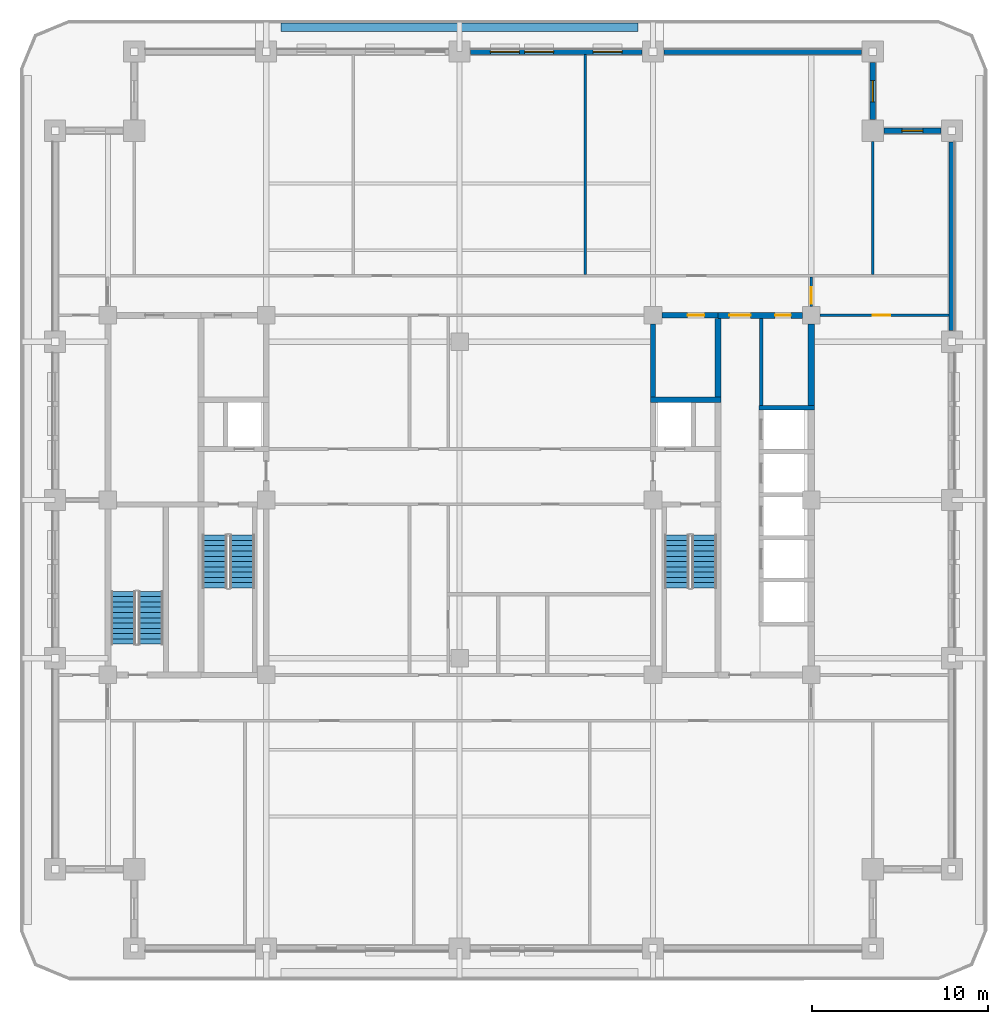
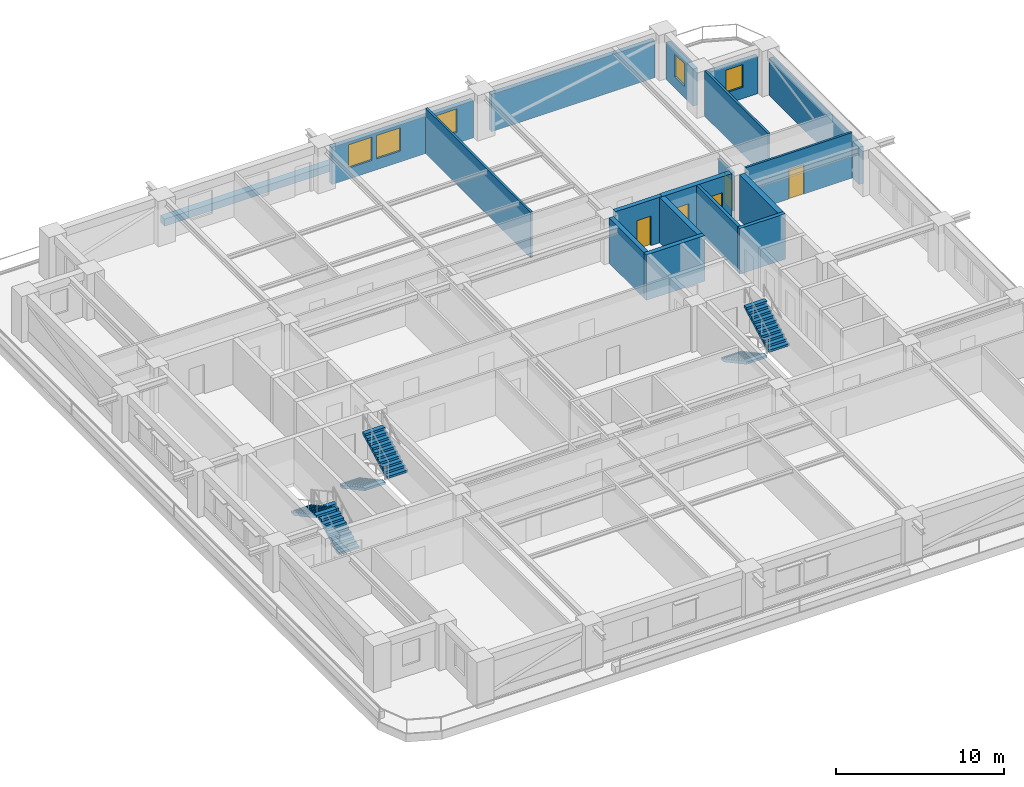
# One storey, part 6 of 13: 18 walls, 6 stair flights, 5 doors, 5 windows, 10 openings, 3 elements without a shape of their own.
"""IFC4 building model written with IfcOpenShell, lengths in metres."""

from ifc_helpers import new_model, si_unit, direction, frame, frame_2d, origin, place, context, subcontext, project, spatial, polyline, rectangle, outline, extrude, material, layer, layer_set, type_object, element, fill, aggregate, save


model = new_model("IFC4")

# Units and contexts
model_context = context("Model", 3, precision=1e-05, world=origin(), true_north=direction((0.0, 1.0)))
body_context = subcontext(model_context, "Body", "Model", "MODEL_VIEW")
ifc_project = project(units=[si_unit("LENGTHUNIT", "METRE"), si_unit("AREAUNIT", "SQUARE_METRE"), si_unit("VOLUMEUNIT", "CUBIC_METRE"), si_unit("PLANEANGLEUNIT", "RADIAN"), si_unit("MASSUNIT", "GRAM", prefix="KILO")], contexts=[model_context])

# Site, building, storey
site_placement = place(None, origin())
site = spatial("IfcSite", under=ifc_project, at=site_placement, CompositionType="ELEMENT")
building_placement = place(site_placement, origin())
building = spatial("IfcBuilding", under=site, at=building_placement, Name="Zulmaris Gate Convention Tower", CompositionType="ELEMENT")
storey_placement = place(building_placement, frame((0.0, 0.0, 91.35986328125)))
storey = spatial("IfcBuildingStorey", under=building, at=storey_placement, Name="L22", CompositionType="ELEMENT", Elevation=91.35986328125)

# Walls
ifc_material_1 = material(Name="Concrete C50/60", Category="concrete")
ifc_layer_1 = layer(ifc_material_1, 0.25, Name="Concrete C50/60")
ifc_layer_set_1 = layer_set([ifc_layer_1], Name="Concrete C50/60")
wall_type_1 = type_object("IfcWallType", Name="CORE-250", PredefinedType="SOLIDWALL", material=ifc_layer_set_1)
wall_1_placement = place(storey_placement, frame((17.02490234375, 5.25, 0.0), z_axis=(0.0, 0.0, 1.0), x_axis=(1.0, 0.0, 0.0)))
element("IfcWall", 1, at=wall_1_placement, inside=storey, type_object=wall_type_1, Name="WL-L22-014", PredefinedType="SOLIDWALL", context=body_context, shape_type="SweptSolid", body=[
    extrude(rectangle(XDim=3.150146484375, YDim=0.25, at=frame_2d((1.5751953125, 0.0))), origin(), (0.0, 0.0, 1.0), 3.320068359375),
])
ifc_layer_2 = layer(ifc_material_1, 0.300048828125, Name="Concrete C50/60")
ifc_layer_set_2 = layer_set([ifc_layer_2], Name="Concrete C50/60")
wall_type_2 = type_object("IfcWallType", Name="CORE-300", PredefinedType="SHEAR", material=ifc_layer_set_2)
wall_2_placement = place(storey_placement, frame((10.85009765625, 5.699951171875, 0.0), z_axis=(0.0, 0.0, 1.0), x_axis=(1.0, 0.0, 0.0)))
element("IfcWall", 2, at=wall_2_placement, inside=storey, type_object=wall_type_2, Name="WL-L22-016", PredefinedType="SHEAR", context=body_context, shape_type="SweptSolid", body=[
    extrude(rectangle(XDim=4.02490234375, YDim=0.300048828125, at=frame_2d((2.012451171875, 0.0))), origin(), (0.0, 0.0, 1.0), 3.320068359375),
])

# Wall, opening, door
wall_3_placement = place(storey_placement, frame((11.50390625, 10.5, 0.0), z_axis=(0.0, 0.0, 1.0), x_axis=(1.0, 0.0, 0.0)))
wall_3 = element("IfcWall", 3, at=wall_3_placement, inside=storey, type_object=wall_type_2, Name="WL-L22-019", PredefinedType="SHEAR", context=body_context, shape_type="SweptSolid", body=[
    extrude(rectangle(XDim=3.196044921875, YDim=0.300048828125, at=frame_2d((1.59814453125, 0.0))), origin(), (0.0, 0.0, 1.0), 3.320068359375),
])
opening_1_placement = place(wall_3_placement, frame((1.470947265625, 0.0, 0.0)))
opening_1 = element("IfcOpeningElement", 4, at=opening_1_placement, cuts=wall_3, Name="Opening D-11", PredefinedType="OPENING", context=body_context, shape_type="SweptSolid", body=[
    extrude(rectangle(XDim=0.949951171875, YDim=2.14990234375, at=frame_2d((0.47509765625, 1.074951171875))), frame((0.0, 0.16015625, 0.0), z_axis=(0.0, -1.0, 0.0), x_axis=(1.0, 0.0, 0.0)), (0.0, 0.0, 1.0), 0.320068359375),
])
ifc_material_2 = material(Name="Fire-Rated Timber", Category="wood")
door_type_1 = type_object("IfcDoorType", Name="DR-950-FD", OperationType="NOTDEFINED", PredefinedType="DOOR", material=ifc_material_2)
door_1_placement = place(opening_1_placement, origin())
door_1 = element("IfcDoor", 5, at=door_1_placement, inside=storey, type_object=door_type_1, Name="L22 Core Cleaners Store Door 08", OperationType="SINGLE_SWING_RIGHT", OverallHeight=2.14990234375, OverallWidth=0.949951171875, PredefinedType="DOOR", context=body_context, shape_type="SweptSolid", body=[
    extrude(rectangle(XDim=0.949951171875, YDim=2.14990234375, at=frame_2d((0.47509765625, 1.074951171875))), frame((0.0, 0.02490234375, 0.0), z_axis=(0.0, -1.0, 0.0), x_axis=(1.0, 0.0, 0.0)), (0.0, 0.0, 1.0), 0.050048828125),
])
fill(opening_1, door_1)

# Wall
wall_4_placement = place(storey_placement, frame((11.0, 5.85205078125, 0.0), z_axis=(0.0, 0.0, 1.0), x_axis=(0.0, 1.0, 0.0)))
element("IfcWall", 6, at=wall_4_placement, inside=storey, type_object=wall_type_2, Name="WL-L22-049", PredefinedType="SHEAR", context=body_context, shape_type="SweptSolid", body=[
    extrude(rectangle(XDim=4.14404296875, YDim=0.300048828125, at=frame_2d((2.072021484375, 0.0))), origin(), (0.0, 0.0, 1.0), 3.320068359375),
])

# Wall, openings, doors
ifc_material_3 = material(Name="Concrete C55/67", Category="concrete")
ifc_layer_3 = layer(ifc_material_3, 0.35009765625, Name="Concrete C55/67")
ifc_layer_set_3 = layer_set([ifc_layer_3], Name="Concrete C55/67")
wall_type_3 = type_object("IfcWallType", Name="CORE-350", PredefinedType="SHEAR", material=ifc_layer_set_3)
wall_5_placement = place(storey_placement, frame((14.699951171875, 10.5, 0.0), z_axis=(0.0, 0.0, 1.0), x_axis=(1.0, 0.0, 0.0)))
wall_5 = element("IfcWall", 7, at=wall_5_placement, inside=storey, type_object=wall_type_3, Name="WL-L22-020", PredefinedType="SHEAR", context=body_context, shape_type="SweptSolid", body=[
    extrude(rectangle(XDim=4.796142578125, YDim=0.35009765625, at=frame_2d((2.39794921875, 0.0))), origin(), (0.0, 0.0, 1.0), 3.320068359375),
])
opening_2_placement = place(wall_5_placement, frame((0.64990234375, 0.0, 0.0)))
opening_2 = element("IfcOpeningElement", 8, at=opening_2_placement, cuts=wall_5, Name="Opening D-13", PredefinedType="OPENING", context=body_context, shape_type="SweptSolid", body=[
    extrude(rectangle(XDim=1.199951171875, YDim=2.14990234375, at=frame_2d((0.60009765625, 1.074951171875))), frame((0.0, 0.18505859375, 0.0), z_axis=(0.0, -1.0, 0.0), x_axis=(1.0, 0.0, 0.0)), (0.0, 0.0, 1.0), 0.3701171875),
])
opening_3_placement = place(wall_5_placement, frame((3.25, 0.0, 0.0)))
opening_3 = element("IfcOpeningElement", 9, at=opening_3_placement, cuts=wall_5, Name="Opening D-12", PredefinedType="OPENING", context=body_context, shape_type="SweptSolid", body=[
    extrude(rectangle(XDim=0.89990234375, YDim=2.14990234375, at=frame_2d((0.449951171875, 1.074951171875))), frame((0.0, 0.18505859375, 0.0), z_axis=(0.0, -1.0, 0.0), x_axis=(1.0, 0.0, 0.0)), (0.0, 0.0, 1.0), 0.3701171875),
])
ifc_material_4 = material(Name="Fire-Rated Steel", Category="steel")
door_type_2 = type_object("IfcDoorType", Name="DR-1200-FD", OperationType="NOTDEFINED", PredefinedType="DOOR", material=ifc_material_4)
door_2_placement = place(opening_2_placement, origin())
door_2 = element("IfcDoor", 10, at=door_2_placement, inside=storey, type_object=door_type_2, Name="L22 East Lift Lobby North Door 16", OperationType="SINGLE_SWING_RIGHT", OverallHeight=2.14990234375, OverallWidth=1.199951171875, PredefinedType="DOOR", context=body_context, shape_type="SweptSolid", body=[
    extrude(rectangle(XDim=1.199951171875, YDim=2.14990234375, at=frame_2d((0.60009765625, 1.074951171875))), frame((0.0, 0.02490234375, 0.0), z_axis=(0.0, -1.0, 0.0), x_axis=(1.0, 0.0, 0.0)), (0.0, 0.0, 1.0), 0.050048828125),
])
fill(opening_2, door_2)
door_type_3 = type_object("IfcDoorType", Name="DR-900-FD", OperationType="NOTDEFINED", PredefinedType="DOOR", material=ifc_material_2)
door_3_placement = place(opening_3_placement, origin())
door_3 = element("IfcDoor", 11, at=door_3_placement, inside=storey, type_object=door_type_3, Name="L22 Mid-Rise Archive Door 17", OperationType="SINGLE_SWING_LEFT", OverallHeight=2.14990234375, OverallWidth=0.89990234375, PredefinedType="DOOR", context=body_context, shape_type="SweptSolid", body=[
    extrude(rectangle(XDim=0.89990234375, YDim=2.14990234375, at=frame_2d((0.449951171875, 1.074951171875))), frame((0.0, 0.02490234375, 0.0), z_axis=(0.0, -1.0, 0.0), x_axis=(1.0, 0.0, 0.0)), (0.0, 0.0, 1.0), 0.050048828125),
])
fill(opening_3, door_3)

# Walls
wall_6_placement = place(storey_placement, frame((14.699951171875, 5.85205078125, 0.0), z_axis=(0.0, 0.0, 1.0), x_axis=(0.0, 1.0, 0.0)))
element("IfcWall", 12, at=wall_6_placement, inside=storey, type_object=wall_type_3, Name="WL-L22-055", PredefinedType="SHEAR", context=body_context, shape_type="SweptSolid", body=[
    extrude(rectangle(XDim=4.470947265625, YDim=0.35009765625, at=frame_2d((2.2353515625, 0.0))), origin(), (0.0, 0.0, 1.0), 3.320068359375),
])
wall_7_placement = place(storey_placement, frame((20.0, 5.376953125, 0.0), z_axis=(0.0, 0.0, 1.0), x_axis=(0.0, 1.0, 0.0)))
element("IfcWall", 13, at=wall_7_placement, inside=storey, type_object=wall_type_3, Name="WL-L22-067", PredefinedType="SHEAR", context=body_context, shape_type="SweptSolid", body=[
    extrude(rectangle(XDim=4.619140625, YDim=0.35009765625, at=frame_2d((2.3095703125, 0.0))), origin(), (0.0, 0.0, 1.0), 3.320068359375),
])

# Wall, opening, door
ifc_material_5 = material(Name="Gypsum Metal Stud Partition")
ifc_layer_4 = layer(ifc_material_5, 0.14990234375, Name="Gypsum Metal Stud Partition")
ifc_layer_set_4 = layer_set([ifc_layer_4], Name="Gypsum Metal Stud Partition")
wall_type_4 = type_object("IfcWallType", Name="PART-150", PredefinedType="PARTITIONING", material=ifc_layer_set_4)
wall_8_placement = place(storey_placement, frame((20.506103515625, 10.5, 0.0), z_axis=(0.0, 0.0, 1.0), x_axis=(1.0, 0.0, 0.0)))
wall_8 = element("IfcWall", 14, at=wall_8_placement, inside=storey, type_object=wall_type_4, Name="WL-L22-031", PredefinedType="PARTITIONING", context=body_context, shape_type="SweptSolid", body=[
    extrude(rectangle(XDim=7.328857421875, YDim=0.14990234375, at=frame_2d((3.66455078125, 0.0))), origin(), (0.0, 0.0, 1.0), 3.320068359375),
])
opening_4_placement = place(wall_8_placement, frame((2.993896484375, 0.0, 0.0)))
opening_4 = element("IfcOpeningElement", 15, at=opening_4_placement, cuts=wall_8, Name="Opening D-10", PredefinedType="OPENING", context=body_context, shape_type="SweptSolid", body=[
    extrude(rectangle(XDim=1.0, YDim=2.14990234375, at=frame_2d((0.5, 1.074951171875))), frame((0.0, 0.0849609375, 0.0), z_axis=(0.0, -1.0, 0.0), x_axis=(1.0, 0.0, 0.0)), (0.0, 0.0, 1.0), 0.169921875),
])
door_type_4 = type_object("IfcDoorType", Name="DR-1000-FD", OperationType="NOTDEFINED", PredefinedType="DOOR", material=ifc_material_2)
door_4_placement = place(opening_4_placement, origin())
door_4 = element("IfcDoor", 16, at=door_4_placement, inside=storey, type_object=door_type_4, Name="L22 East Workplace North Door 42", OperationType="SINGLE_SWING_RIGHT", OverallHeight=2.14990234375, OverallWidth=1.0, PredefinedType="DOOR", context=body_context, shape_type="SweptSolid", body=[
    extrude(rectangle(XDim=1.0, YDim=2.14990234375, at=frame_2d((0.5, 1.074951171875))), frame((0.0, 0.02490234375, 0.0), z_axis=(0.0, -1.0, 0.0), x_axis=(1.0, 0.0, 0.0)), (0.0, 0.0, 1.0), 0.050048828125),
])
fill(opening_4, door_4)

# Wall
wall_9_placement = place(storey_placement, frame((7.14990234375, 12.827880859375, 0.0), z_axis=(0.0, 0.0, 1.0), x_axis=(0.0, 1.0, 0.0)))
element("IfcWall", 17, at=wall_9_placement, inside=storey, type_object=wall_type_4, Name="WL-L22-082", PredefinedType="PARTITIONING", context=body_context, shape_type="SweptSolid", body=[
    extrude(rectangle(XDim=12.507080078125, YDim=0.14990234375, at=frame_2d((6.25341796875, 0.0))), origin(), (0.0, 0.0, 1.0), 3.320068359375),
])

# Wall, opening, door
wall_10_placement = place(storey_placement, frame((20.0, 11.006103515625, 0.0), z_axis=(0.0, 0.0, 1.0), x_axis=(0.0, 1.0, 0.0)))
wall_10 = element("IfcWall", 18, at=wall_10_placement, inside=storey, type_object=wall_type_4, Name="WL-L22-086", PredefinedType="PARTITIONING", context=body_context, shape_type="SweptSolid", body=[
    extrude(rectangle(XDim=1.666015625, YDim=0.14990234375, at=frame_2d((0.8330078125, 0.0))), origin(), (0.0, 0.0, 1.0), 2.81005859375),
])
opening_5_placement = place(wall_10_placement, frame((0.14990234375, 0.0, 0.0)))
opening_5 = element("IfcOpeningElement", 19, at=opening_5_placement, cuts=wall_10, Name="Opening D-11", PredefinedType="OPENING", context=body_context, shape_type="SweptSolid", body=[
    extrude(rectangle(XDim=0.949951171875, YDim=2.14990234375, at=frame_2d((0.47509765625, 1.074951171875))), frame((0.0, 0.0849609375, 0.0), z_axis=(0.0, -1.0, 0.0), x_axis=(1.0, 0.0, 0.0)), (0.0, 0.0, 1.0), 0.169921875),
])
door_5_placement = place(opening_5_placement, origin())
door_5 = element("IfcDoor", 20, at=door_5_placement, inside=storey, type_object=door_type_1, Name="L22 NE Spur Door 40", OperationType="SINGLE_SWING_RIGHT", OverallHeight=2.14990234375, OverallWidth=0.949951171875, PredefinedType="DOOR", context=body_context, shape_type="SweptSolid", body=[
    extrude(rectangle(XDim=0.949951171875, YDim=2.14990234375, at=frame_2d((0.47509765625, 1.074951171875))), frame((0.0, 0.02490234375, 0.0), z_axis=(0.0, -1.0, 0.0), x_axis=(1.0, 0.0, 0.0)), (0.0, 0.0, 1.0), 0.050048828125),
])
fill(opening_5, door_5)

# Walls
wall_11_placement = place(storey_placement, frame((23.5, 12.827880859375, 0.0), z_axis=(0.0, 0.0, 1.0), x_axis=(0.0, 1.0, 0.0)))
element("IfcWall", 21, at=wall_11_placement, inside=storey, type_object=wall_type_4, Name="WL-L22-088", PredefinedType="PARTITIONING", context=body_context, shape_type="SweptSolid", body=[
    extrude(rectangle(XDim=7.566162109375, YDim=0.14990234375, at=frame_2d((3.783203125, 0.0))), origin(), (0.0, 0.0, 1.0), 3.320068359375),
])
ifc_material_6 = material(Name="Autoclaved Aerated Concrete Block and Plasterboard", Category="concrete")
ifc_layer_5 = layer(ifc_material_6, 0.199951171875, Name="Autoclaved Aerated Concrete Block and Plasterboard")
ifc_layer_set_5 = layer_set([ifc_layer_5], Name="Autoclaved Aerated Concrete Block and Plasterboard")
wall_type_5 = type_object("IfcWallType", Name="PART-200", PredefinedType="PARTITIONING", material=ifc_layer_set_5)
wall_12_placement = place(storey_placement, frame((17.14990234375, 5.3779296875, 0.0), z_axis=(0.0, 0.0, 1.0), x_axis=(0.0, 1.0, 0.0)))
element("IfcWall", 22, at=wall_12_placement, inside=storey, type_object=wall_type_5, Name="WL-L22-084", PredefinedType="PARTITIONING", context=body_context, shape_type="SweptSolid", body=[
    extrude(rectangle(XDim=4.944091796875, YDim=0.199951171875, at=frame_2d((2.47216796875, 0.0))), origin(), (0.0, 0.0, 1.0), 3.320068359375),
])
ifc_material_7 = material(Name="Botanical Green Glazed Precast Concrete C40/50", Category="concrete")
ifc_layer_6 = layer(ifc_material_7, 0.419921875, Name="Botanical Green Glazed Precast Concrete C40/50")
ifc_layer_set_6 = layer_set([ifc_layer_6], Name="Botanical Green Glazed Precast Concrete C40/50")
wall_type_6 = type_object("IfcWallType", Name="PLANTER-CURB-200", PredefinedType="PARAPET", material=ifc_layer_set_6)
wall_13_placement = place(storey_placement, frame((-10.14990234375, 26.8798828125, -0.0400390625), z_axis=(0.0, 0.0, 1.0), x_axis=(1.0, 0.0, 0.0)))
element("IfcWall", 23, at=wall_13_placement, inside=storey, type_object=wall_type_6, Name="L22 Full-Length Balcony Tree Planter Trough", PredefinedType="PARAPET", context=body_context, shape_type="SweptSolid", body=[
    extrude(rectangle(XDim=20.2998046875, YDim=0.47998046875, at=frame_2d((10.14990234375, 0.0))), origin(), (0.0, 0.0, 1.0), 0.52001953125),
])

# Wall, opening, window
ifc_material_8 = material(Name="Precast concrete C40/50", Category="concrete")
ifc_layer_7 = layer(ifc_material_8, 0.300048828125, Name="Precast concrete C40/50")
ifc_layer_set_7 = layer_set([ifc_layer_7], Name="Precast concrete C40/50")
wall_type_7 = type_object("IfcWallType", Name="PRECAST-PIER-300", PredefinedType="STANDARD", material=ifc_layer_set_7)
wall_14_placement = place(storey_placement, frame((27.3701171875, 21.0, 0.0), z_axis=(0.0, 0.0, 1.0), x_axis=(-1.0, 0.0, 0.0)))
wall_14 = element("IfcWall", 24, at=wall_14_placement, inside=storey, type_object=wall_type_7, Name="EW-L22-NOTCH-NE1_0", PredefinedType="STANDARD", context=body_context, shape_type="SweptSolid", body=[
    extrude(rectangle(XDim=3.240234375, YDim=0.300048828125, at=frame_2d((1.6201171875, 0.0))), origin(), (0.0, 0.0, 1.0), 2.712158203125),
])
opening_6_placement = place(wall_14_placement, frame((1.02001953125, 0.0, 0.820068359375)))
opening_6 = element("IfcOpeningElement", 25, at=opening_6_placement, cuts=wall_14, Name="Opening W-04", PredefinedType="OPENING", context=body_context, shape_type="SweptSolid", body=[
    extrude(rectangle(XDim=1.199951171875, YDim=1.64990234375, at=frame_2d((0.60009765625, 0.824951171875))), frame((0.0, 0.16015625, 0.0), z_axis=(0.0, -1.0, 0.0), x_axis=(1.0, 0.0, 0.0)), (0.0, 0.0, 1.0), 0.320068359375),
])
ifc_material_9 = material(Name="Low-E Laminated Double Glazing in Aluminium Frame", Category="aluminium")
window_type_1 = type_object("IfcWindowType", Name="WIN-1200x2100", PartitioningType="SINGLE_PANEL", PredefinedType="WINDOW", material=ifc_material_9)
window_1_placement = place(opening_6_placement, origin())
window_1 = element("IfcWindow", 26, at=window_1_placement, inside=storey, type_object=window_type_1, Name="WN-EW-L22-NOTCH-NE1_0", OverallHeight=1.64990234375, OverallWidth=1.199951171875, PartitioningType="SINGLE_PANEL", PredefinedType="WINDOW", context=body_context, shape_type="SweptSolid", body=[
    extrude(rectangle(XDim=1.199951171875, YDim=1.64990234375, at=frame_2d((0.60009765625, 0.824951171875))), frame((0.0, 0.030029296875, 0.0), z_axis=(0.0, -1.0, 0.0), x_axis=(1.0, 0.0, 0.0)), (0.0, 0.0, 1.0), 0.06005859375),
])
fill(opening_6, window_1)

wall_15_placement = place(storey_placement, frame((23.5, 21.6298828125, 0.0), z_axis=(0.0, 0.0, 1.0), x_axis=(0.0, 1.0, 0.0)))
wall_15 = element("IfcWall", 27, at=wall_15_placement, inside=storey, type_object=wall_type_7, Name="EW-L22-NOTCH-NE2_0", PredefinedType="STANDARD", context=body_context, shape_type="SweptSolid", body=[
    extrude(rectangle(XDim=3.240234375, YDim=0.300048828125, at=frame_2d((1.6201171875, 0.0))), origin(), (0.0, 0.0, 1.0), 2.712158203125),
])
opening_7_placement = place(wall_15_placement, frame((1.02001953125, 0.0, 0.820068359375)))
opening_7 = element("IfcOpeningElement", 28, at=opening_7_placement, cuts=wall_15, Name="Opening W-04", PredefinedType="OPENING", context=body_context, shape_type="SweptSolid", body=[
    extrude(rectangle(XDim=1.199951171875, YDim=1.64990234375, at=frame_2d((0.60009765625, 0.824951171875))), frame((0.0, 0.16015625, 0.0), z_axis=(0.0, -1.0, 0.0), x_axis=(1.0, 0.0, 0.0)), (0.0, 0.0, 1.0), 0.320068359375),
])
window_2_placement = place(opening_7_placement, origin())
window_2 = element("IfcWindow", 29, at=window_2_placement, inside=storey, type_object=window_type_1, Name="WN-EW-L22-NOTCH-NE2_0", OverallHeight=1.64990234375, OverallWidth=1.199951171875, PartitioningType="SINGLE_PANEL", PredefinedType="WINDOW", context=body_context, shape_type="SweptSolid", body=[
    extrude(rectangle(XDim=1.199951171875, YDim=1.64990234375, at=frame_2d((0.60009765625, 0.824951171875))), frame((0.0, 0.030029296875, 0.0), z_axis=(0.0, -1.0, 0.0), x_axis=(1.0, 0.0, 0.0)), (0.0, 0.0, 1.0), 0.06005859375),
])
fill(opening_7, window_2)

# Wall, openings, windows
wall_16_placement = place(storey_placement, frame((10.3701171875, 25.5, 0.0), z_axis=(0.0, 0.0, 1.0), x_axis=(-1.0, 0.0, 0.0)))
wall_16 = element("IfcWall", 30, at=wall_16_placement, inside=storey, type_object=wall_type_7, Name="EW-L22-N-2_0", PredefinedType="STANDARD", context=body_context, shape_type="SweptSolid", body=[
    extrude(rectangle(XDim=9.740234375, YDim=0.300048828125, at=frame_2d((4.8701171875, 0.0))), origin(), (0.0, 0.0, 1.0), 2.712158203125),
])
opening_8_placement = place(wall_16_placement, frame((1.123046875, 0.0, 0.800048828125)))
opening_8 = element("IfcOpeningElement", 31, at=opening_8_placement, cuts=wall_16, Name="Opening W-08", PredefinedType="OPENING", context=body_context, shape_type="SweptSolid", body=[
    extrude(rectangle(XDim=1.64990234375, YDim=1.699951171875, at=frame_2d((0.824951171875, 0.85009765625))), frame((0.0, 0.16015625, 0.0), z_axis=(0.0, -1.0, 0.0), x_axis=(1.0, 0.0, 0.0)), (0.0, 0.0, 1.0), 0.320068359375),
])
opening_9_placement = place(wall_16_placement, frame((5.01904296875, 0.0, 0.800048828125)))
opening_9 = element("IfcOpeningElement", 32, at=opening_9_placement, cuts=wall_16, Name="Opening W-08", PredefinedType="OPENING", context=body_context, shape_type="SweptSolid", body=[
    extrude(rectangle(XDim=1.64990234375, YDim=1.699951171875, at=frame_2d((0.824951171875, 0.85009765625))), frame((0.0, 0.16015625, 0.0), z_axis=(0.0, -1.0, 0.0), x_axis=(1.0, 0.0, 0.0)), (0.0, 0.0, 1.0), 0.320068359375),
])
opening_10_placement = place(wall_16_placement, frame((6.967041015625, 0.0, 0.800048828125)))
opening_10 = element("IfcOpeningElement", 33, at=opening_10_placement, cuts=wall_16, Name="Opening W-08", PredefinedType="OPENING", context=body_context, shape_type="SweptSolid", body=[
    extrude(rectangle(XDim=1.64990234375, YDim=1.699951171875, at=frame_2d((0.824951171875, 0.85009765625))), frame((0.0, 0.16015625, 0.0), z_axis=(0.0, -1.0, 0.0), x_axis=(1.0, 0.0, 0.0)), (0.0, 0.0, 1.0), 0.320068359375),
])
window_type_2 = type_object("IfcWindowType", Name="WIN-1650x2150", PartitioningType="SINGLE_PANEL", PredefinedType="WINDOW", material=ifc_material_9)
window_3_placement = place(opening_8_placement, origin())
window_3 = element("IfcWindow", 34, at=window_3_placement, inside=storey, type_object=window_type_2, Name="WN-EW-L22-N-2_0-1", OverallHeight=1.699951171875, OverallWidth=1.64990234375, PartitioningType="SINGLE_PANEL", PredefinedType="WINDOW", context=body_context, shape_type="SweptSolid", body=[
    extrude(rectangle(XDim=1.64990234375, YDim=1.699951171875, at=frame_2d((0.824951171875, 0.85009765625))), frame((0.0, 0.030029296875, 0.0), z_axis=(0.0, -1.0, 0.0), x_axis=(1.0, 0.0, 0.0)), (0.0, 0.0, 1.0), 0.06005859375),
])
fill(opening_8, window_3)
window_4_placement = place(opening_9_placement, origin())
window_4 = element("IfcWindow", 35, at=window_4_placement, inside=storey, type_object=window_type_2, Name="WN-EW-L22-N-2_0-3", OverallHeight=1.699951171875, OverallWidth=1.64990234375, PartitioningType="SINGLE_PANEL", PredefinedType="WINDOW", context=body_context, shape_type="SweptSolid", body=[
    extrude(rectangle(XDim=1.64990234375, YDim=1.699951171875, at=frame_2d((0.824951171875, 0.85009765625))), frame((0.0, 0.030029296875, 0.0), z_axis=(0.0, -1.0, 0.0), x_axis=(1.0, 0.0, 0.0)), (0.0, 0.0, 1.0), 0.06005859375),
])
fill(opening_9, window_4)
window_5_placement = place(opening_10_placement, origin())
window_5 = element("IfcWindow", 36, at=window_5_placement, inside=storey, type_object=window_type_2, Name="WN-EW-L22-N-2_0-4", OverallHeight=1.699951171875, OverallWidth=1.64990234375, PartitioningType="SINGLE_PANEL", PredefinedType="WINDOW", context=body_context, shape_type="SweptSolid", body=[
    extrude(rectangle(XDim=1.64990234375, YDim=1.699951171875, at=frame_2d((0.824951171875, 0.85009765625))), frame((0.0, 0.030029296875, 0.0), z_axis=(0.0, -1.0, 0.0), x_axis=(1.0, 0.0, 0.0)), (0.0, 0.0, 1.0), 0.06005859375),
])
fill(opening_10, window_5)

# Walls
wall_17_placement = place(storey_placement, frame((22.8701171875, 25.5, 0.0), z_axis=(0.0, 0.0, 1.0), x_axis=(-1.0, 0.0, 0.0)))
element("IfcWall", 37, at=wall_17_placement, inside=storey, type_object=wall_type_7, Name="EW-L22-N-3_0", PredefinedType="STANDARD", context=body_context, shape_type="SweptSolid", body=[
    extrude(rectangle(XDim=11.240234375, YDim=0.300048828125, at=frame_2d((5.6201171875, 0.0))), origin(), (0.0, 0.0, 1.0), 2.712158203125),
])
wall_18_placement = place(storey_placement, frame((28.0, 9.6298828125, 0.0), z_axis=(0.0, 0.0, 1.0), x_axis=(0.0, 1.0, 0.0)))
element("IfcWall", 38, at=wall_18_placement, inside=storey, type_object=wall_type_7, Name="EW-L22-E-3_0", PredefinedType="STANDARD", context=body_context, shape_type="SweptSolid", body=[
    extrude(rectangle(XDim=10.740234375, YDim=0.300048828125, at=frame_2d((5.3701171875, 0.0))), origin(), (0.0, 0.0, 1.0), 2.712158203125),
])

# Stair, stair flights
ifc_material_10 = material(Name="Concrete C45/55", Category="concrete")
stair_type = type_object("IfcStairType", Name="ST-CORE-DOGLEG", PredefinedType="HALF_TURN_STAIR", material=ifc_material_10)
stair_1_placement = place(storey_placement, origin())
stair_1 = element("IfcStair", 39, at=stair_1_placement, inside=storey, type_object=stair_type, Name="L22 Core Exit Stair ST-1", PredefinedType="HALF_TURN_STAIR")
ifc_layer_8 = layer(ifc_material_10, 0.14990234375, Name="Concrete C45/55")
ifc_layer_set_8 = layer_set([ifc_layer_8], Name="Concrete C45/55")
stair_flight_type = type_object("IfcStairFlightType", Name="STF-RC150", PredefinedType="STRAIGHT", material=ifc_layer_set_8)
stair_flight_1_placement = place(storey_placement, frame((-13.919921875, -2.0, 0.0), z_axis=(0.0, 0.0, 1.0), x_axis=(0.0, -1.0, 0.0)))
stair_flight_1 = element("IfcStairFlight", 40, at=stair_flight_1_placement, type_object=stair_flight_type, Name="ST-1 flight 1", NumberOfRisers=11, NumberOfTreads=10, PredefinedType="STRAIGHT", RiserHeight=0.162272727, TreadLength=0.3, context=body_context, shape_type="SweptSolid", body=[
    extrude(outline(polyline([(0.0, 0.0), (0.0, 0.162353515625), (0.300048828125, 0.162353515625), (0.300048828125, 0.324462890625), (0.60009765625, 0.324462890625), (0.60009765625, 0.48681640625), (0.89990234375, 0.48681640625), (0.89990234375, 0.649169921875), (1.199951171875, 0.649169921875), (1.199951171875, 0.811279296875), (1.5, 0.811279296875), (1.5, 0.9736328125), (1.800048828125, 0.9736328125), (1.800048828125, 1.135986328125), (2.10009765625, 1.135986328125), (2.10009765625, 1.298095703125), (2.39990234375, 1.298095703125), (2.39990234375, 1.46044921875), (2.699951171875, 1.46044921875), (2.699951171875, 1.622802734375), (3.0, 1.622802734375), (3.0, 1.784912109375), (3.0, 1.452392578125), (0.315185546875, 0.0), (0.0, 0.0)])), frame((0.0, 0.699951171875, 0.0), z_axis=(0.0, -1.0, 0.0), x_axis=(1.0, 0.0, 0.0)), (0.0, 0.0, 1.0), 1.39990234375),
])
stair_flight_2_placement = place(storey_placement, frame((-12.360107421875, -5.0, 1.78515625), z_axis=(0.0, 0.0, 1.0), x_axis=(0.0, 1.0, 0.0)))
stair_flight_2 = element("IfcStairFlight", 41, at=stair_flight_2_placement, type_object=stair_flight_type, Name="ST-1 flight 2", NumberOfRisers=11, NumberOfTreads=10, PredefinedType="STRAIGHT", RiserHeight=0.162272727, TreadLength=0.3, context=body_context, shape_type="SweptSolid", body=[
    extrude(outline(polyline([(0.0, 0.0), (0.0, 0.162353515625), (0.300048828125, 0.162353515625), (0.300048828125, 0.324462890625), (0.60009765625, 0.324462890625), (0.60009765625, 0.48681640625), (0.89990234375, 0.48681640625), (0.89990234375, 0.649169921875), (1.199951171875, 0.649169921875), (1.199951171875, 0.811279296875), (1.5, 0.811279296875), (1.5, 0.9736328125), (1.800048828125, 0.9736328125), (1.800048828125, 1.135986328125), (2.10009765625, 1.135986328125), (2.10009765625, 1.298095703125), (2.39990234375, 1.298095703125), (2.39990234375, 1.46044921875), (2.699951171875, 1.46044921875), (2.699951171875, 1.622802734375), (3.0, 1.622802734375), (3.0, 1.784912109375), (3.0, 1.452392578125), (0.315185546875, 0.0), (0.0, 0.0)])), frame((0.0, 0.699951171875, 0.0), z_axis=(0.0, -1.0, 0.0), x_axis=(1.0, 0.0, 0.0)), (0.0, 0.0, 1.0), 1.39990234375),
])
aggregate(stair_1, [stair_flight_1, stair_flight_2])

stair_2_placement = place(storey_placement, origin())
stair_2 = element("IfcStair", 42, at=stair_2_placement, inside=storey, type_object=stair_type, Name="L22 Core Exit Stair ST-2", PredefinedType="HALF_TURN_STAIR")
stair_flight_3_placement = place(storey_placement, frame((12.360107421875, -2.0, 0.0), z_axis=(0.0, 0.0, 1.0), x_axis=(0.0, -1.0, 0.0)))
stair_flight_3 = element("IfcStairFlight", 43, at=stair_flight_3_placement, type_object=stair_flight_type, Name="ST-2 flight 1", NumberOfRisers=11, NumberOfTreads=10, PredefinedType="STRAIGHT", RiserHeight=0.162272727, TreadLength=0.3, context=body_context, shape_type="SweptSolid", body=[
    extrude(outline(polyline([(0.0, 0.0), (0.0, 0.162353515625), (0.300048828125, 0.162353515625), (0.300048828125, 0.324462890625), (0.60009765625, 0.324462890625), (0.60009765625, 0.48681640625), (0.89990234375, 0.48681640625), (0.89990234375, 0.649169921875), (1.199951171875, 0.649169921875), (1.199951171875, 0.811279296875), (1.5, 0.811279296875), (1.5, 0.9736328125), (1.800048828125, 0.9736328125), (1.800048828125, 1.135986328125), (2.10009765625, 1.135986328125), (2.10009765625, 1.298095703125), (2.39990234375, 1.298095703125), (2.39990234375, 1.46044921875), (2.699951171875, 1.46044921875), (2.699951171875, 1.622802734375), (3.0, 1.622802734375), (3.0, 1.784912109375), (3.0, 1.452392578125), (0.315185546875, 0.0), (0.0, 0.0)])), frame((0.0, 0.699951171875, 0.0), z_axis=(0.0, -1.0, 0.0), x_axis=(1.0, 0.0, 0.0)), (0.0, 0.0, 1.0), 1.39990234375),
])
stair_flight_4_placement = place(storey_placement, frame((13.919921875, -5.0, 1.78515625), z_axis=(0.0, 0.0, 1.0), x_axis=(0.0, 1.0, 0.0)))
stair_flight_4 = element("IfcStairFlight", 44, at=stair_flight_4_placement, type_object=stair_flight_type, Name="ST-2 flight 2", NumberOfRisers=11, NumberOfTreads=10, PredefinedType="STRAIGHT", RiserHeight=0.162272727, TreadLength=0.3, context=body_context, shape_type="SweptSolid", body=[
    extrude(outline(polyline([(0.0, 0.0), (0.0, 0.162353515625), (0.300048828125, 0.162353515625), (0.300048828125, 0.324462890625), (0.60009765625, 0.324462890625), (0.60009765625, 0.48681640625), (0.89990234375, 0.48681640625), (0.89990234375, 0.649169921875), (1.199951171875, 0.649169921875), (1.199951171875, 0.811279296875), (1.5, 0.811279296875), (1.5, 0.9736328125), (1.800048828125, 0.9736328125), (1.800048828125, 1.135986328125), (2.10009765625, 1.135986328125), (2.10009765625, 1.298095703125), (2.39990234375, 1.298095703125), (2.39990234375, 1.46044921875), (2.699951171875, 1.46044921875), (2.699951171875, 1.622802734375), (3.0, 1.622802734375), (3.0, 1.784912109375), (3.0, 1.452392578125), (0.315185546875, 0.0), (0.0, 0.0)])), frame((0.0, 0.699951171875, 0.0), z_axis=(0.0, -1.0, 0.0), x_axis=(1.0, 0.0, 0.0)), (0.0, 0.0, 1.0), 1.39990234375),
])
aggregate(stair_2, [stair_flight_3, stair_flight_4])

stair_3_placement = place(storey_placement, origin())
stair_3 = element("IfcStair", 45, at=stair_3_placement, inside=storey, type_object=stair_type, Name="L22 Core Exit Stair ST-3", PredefinedType="HALF_TURN_STAIR")
stair_flight_5_placement = place(storey_placement, frame((-17.56005859375, -8.199951171875, 0.0), z_axis=(0.0, 0.0, 1.0), x_axis=(0.0, 1.0, 0.0)))
stair_flight_5 = element("IfcStairFlight", 46, at=stair_flight_5_placement, type_object=stair_flight_type, Name="ST-3 flight 1", NumberOfRisers=11, NumberOfTreads=10, PredefinedType="STRAIGHT", RiserHeight=0.162272727, TreadLength=0.3, context=body_context, shape_type="SweptSolid", body=[
    extrude(outline(polyline([(0.0, 0.0), (0.0, 0.162353515625), (0.300048828125, 0.162353515625), (0.300048828125, 0.324462890625), (0.60009765625, 0.324462890625), (0.60009765625, 0.48681640625), (0.89990234375, 0.48681640625), (0.89990234375, 0.649169921875), (1.199951171875, 0.649169921875), (1.199951171875, 0.811279296875), (1.5, 0.811279296875), (1.5, 0.9736328125), (1.800048828125, 0.9736328125), (1.800048828125, 1.135986328125), (2.10009765625, 1.135986328125), (2.10009765625, 1.298095703125), (2.39990234375, 1.298095703125), (2.39990234375, 1.46044921875), (2.699951171875, 1.46044921875), (2.699951171875, 1.622802734375), (3.0, 1.622802734375), (3.0, 1.784912109375), (3.0, 1.452392578125), (0.315185546875, 0.0), (0.0, 0.0)])), frame((0.0, 0.699951171875, 0.0), z_axis=(0.0, -1.0, 0.0), x_axis=(1.0, 0.0, 0.0)), (0.0, 0.0, 1.0), 1.39990234375),
])
stair_flight_6_placement = place(storey_placement, frame((-19.1201171875, -5.199951171875, 1.78515625), z_axis=(0.0, 0.0, 1.0), x_axis=(0.0, -1.0, 0.0)))
stair_flight_6 = element("IfcStairFlight", 47, at=stair_flight_6_placement, type_object=stair_flight_type, Name="ST-3 flight 2", NumberOfRisers=11, NumberOfTreads=10, PredefinedType="STRAIGHT", RiserHeight=0.162272727, TreadLength=0.3, context=body_context, shape_type="SweptSolid", body=[
    extrude(outline(polyline([(0.0, 0.0), (0.0, 0.162353515625), (0.300048828125, 0.162353515625), (0.300048828125, 0.324462890625), (0.60009765625, 0.324462890625), (0.60009765625, 0.48681640625), (0.89990234375, 0.48681640625), (0.89990234375, 0.649169921875), (1.199951171875, 0.649169921875), (1.199951171875, 0.811279296875), (1.5, 0.811279296875), (1.5, 0.9736328125), (1.800048828125, 0.9736328125), (1.800048828125, 1.135986328125), (2.10009765625, 1.135986328125), (2.10009765625, 1.298095703125), (2.39990234375, 1.298095703125), (2.39990234375, 1.46044921875), (2.699951171875, 1.46044921875), (2.699951171875, 1.622802734375), (3.0, 1.622802734375), (3.0, 1.784912109375), (3.0, 1.452392578125), (0.315185546875, 0.0), (0.0, 0.0)])), frame((0.0, 0.699951171875, 0.0), z_axis=(0.0, -1.0, 0.0), x_axis=(1.0, 0.0, 0.0)), (0.0, 0.0, 1.0), 1.39990234375),
])
aggregate(stair_3, [stair_flight_5, stair_flight_6])

save(model, "model.ifc")
